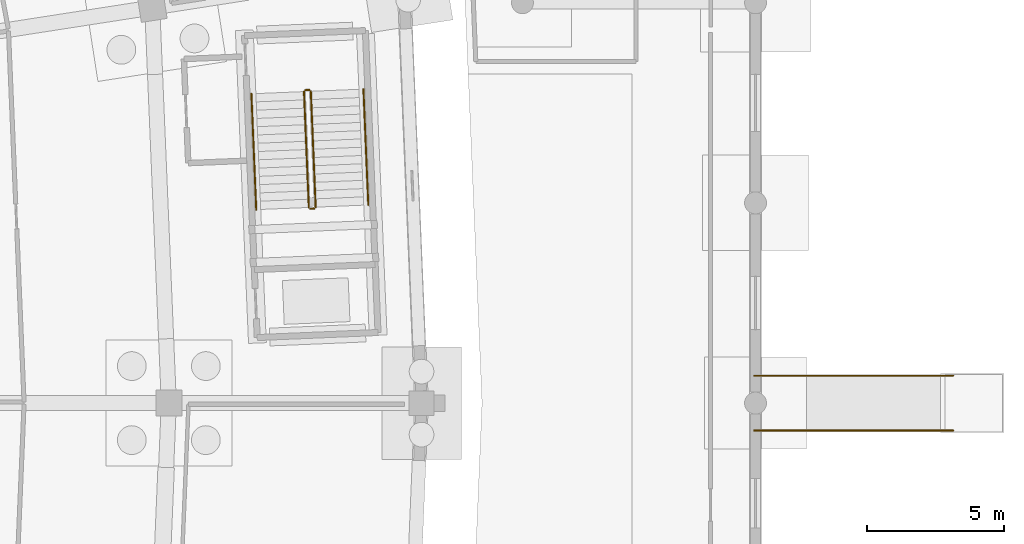
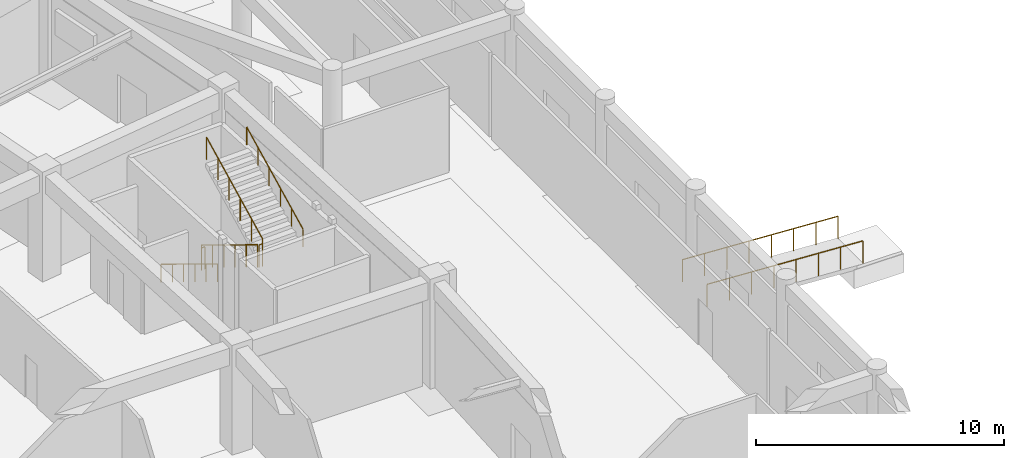
# One storey, part 79 of 88: 8 railings.
"""IFC4 building model written with IfcOpenShell, lengths in metres."""

from ifc_helpers import new_model, si_unit, direction, frame, origin, origin_2d, place, context, subcontext, project, spatial, circle, extrude, material, type_object, element, save


model = new_model("IFC4")

# Units and contexts
model_context = context("Model", 3, precision=1e-05, world=origin(), true_north=direction((0.0, 1.0)))
body_context = subcontext(model_context, "Body", "Model", "MODEL_VIEW")
ifc_project = project(units=[si_unit("LENGTHUNIT", "METRE"), si_unit("AREAUNIT", "SQUARE_METRE"), si_unit("VOLUMEUNIT", "CUBIC_METRE"), si_unit("PLANEANGLEUNIT", "RADIAN"), si_unit("MASSUNIT", "GRAM", prefix="KILO")], contexts=[model_context])

# Site, building, storey
site_placement = place(None, origin())
site = spatial("IfcSite", under=ifc_project, at=site_placement, CompositionType="ELEMENT")
building_placement = place(site_placement, origin())
building = spatial("IfcBuilding", under=site, at=building_placement, Name="Mphavela Belvedere Stadium", CompositionType="ELEMENT")
storey_placement = place(building_placement, origin())
storey = spatial("IfcBuildingStorey", under=building, at=storey_placement, Name="L00", CompositionType="ELEMENT", Elevation=0.0)

# Railings
ifc_material_1 = material(Name="Painted galvanised steel stair guardrail", Category="steel")
railing_type_1 = type_object("IfcRailingType", Name="RAL-GUARD-1120", PredefinedType="GUARDRAIL", material=ifc_material_1)
railing_1_placement = place(storey_placement, frame((213.532958984375, 98.359375, 0.179931640625)))
element("IfcRailing", 1, at=railing_1_placement, inside=storey, type_object=railing_type_1, Name="L00 ST-C01 stair guard 1", PredefinedType="GUARDRAIL", context=body_context, shape_type="SweptSolid", body=[
    extrude(circle(Radius=0.02392578125, at=origin_2d()), frame((0.0, 0.0, 1.09619140625), z_axis=(0.035962172711, -0.858231051363, 0.512002133405), x_axis=(0.999123237533, 0.041865931523, 0.0)), (0.0, 0.0, 1.0), 4.921875),
    extrude(circle(Radius=0.02099609375, at=origin_2d()), origin(), (0.0, 0.0, 1.0), 1.072021484375),
    extrude(circle(Radius=0.02099609375, at=origin_2d()), frame((0.035400390625, -0.8447265625, 0.50390625)), (0.0, 0.0, 1.0), 1.072021484375),
    extrude(circle(Radius=0.02099609375, at=origin_2d()), frame((0.07080078125, -1.689697265625, 1.008056640625)), (0.0, 0.0, 1.0), 1.072021484375),
    extrude(circle(Radius=0.02099609375, at=origin_2d()), frame((0.106201171875, -2.534423828125, 1.511962890625)), (0.0, 0.0, 1.0), 1.072021484375),
    extrude(circle(Radius=0.02099609375, at=origin_2d()), frame((0.1416015625, -3.37939453125, 2.01611328125)), (0.0, 0.0, 1.0), 1.072021484375),
    extrude(circle(Radius=0.02099609375, at=origin_2d()), frame((0.177001953125, -4.22412109375, 2.52001953125)), (0.0, 0.0, 1.0), 1.072021484375),
])
railing_2_placement = place(storey_placement, frame((213.761962890625, 94.08740234375, 2.699951171875)))
element("IfcRailing", 2, at=railing_2_placement, inside=storey, type_object=railing_type_1, Name="L00 ST-C01 stair guard 2", PredefinedType="GUARDRAIL", context=body_context, shape_type="SweptSolid", body=[
    extrude(circle(Radius=0.02392578125, at=origin_2d()), frame((0.0, 0.0, 1.09619140625), z_axis=(0.999172107982, 0.040682903419, 0.0), x_axis=(-0.040682903419, 0.999172107982, 0.0)), (0.0, 0.0, 1.0), 0.150146484375),
    extrude(circle(Radius=0.02099609375, at=origin_2d()), origin(), (0.0, 0.0, 1.0), 1.072021484375),
    extrude(circle(Radius=0.02099609375, at=origin_2d()), frame((0.14990234375, 0.006103515625, 0.0)), (0.0, 0.0, 1.0), 1.072021484375),
])
railing_3_placement = place(storey_placement, frame((213.959716796875, 94.145751953125, 2.8798828125)))
element("IfcRailing", 3, at=railing_3_placement, inside=storey, type_object=railing_type_1, Name="L00 ST-C01 stair guard 3", PredefinedType="GUARDRAIL", context=body_context, shape_type="SweptSolid", body=[
    extrude(circle(Radius=0.02392578125, at=origin_2d()), frame((0.0, 0.0, 1.09619140625), z_axis=(-0.035962172711, 0.858231051363, 0.512002133405), x_axis=(-0.999123237533, -0.041865931523, 0.0)), (0.0, 0.0, 1.0), 4.921875),
    extrude(circle(Radius=0.02099609375, at=origin_2d()), origin(), (0.0, 0.0, 1.0), 1.072021484375),
    extrude(circle(Radius=0.02099609375, at=origin_2d()), frame((-0.035400390625, 0.8447265625, 0.50390625)), (0.0, 0.0, 1.0), 1.072021484375),
    extrude(circle(Radius=0.02099609375, at=origin_2d()), frame((-0.07080078125, 1.689697265625, 1.008056640625)), (0.0, 0.0, 1.0), 1.072021484375),
    extrude(circle(Radius=0.02099609375, at=origin_2d()), frame((-0.106201171875, 2.534423828125, 1.511962890625)), (0.0, 0.0, 1.0), 1.072021484375),
    extrude(circle(Radius=0.02099609375, at=origin_2d()), frame((-0.1416015625, 3.37939453125, 2.01611328125)), (0.0, 0.0, 1.0), 1.072021484375),
    extrude(circle(Radius=0.02099609375, at=origin_2d()), frame((-0.177001953125, 4.22412109375, 2.52001953125)), (0.0, 0.0, 1.0), 1.072021484375),
])
railing_4_placement = place(storey_placement, frame((213.580810546875, 98.41162109375, 0.0)))
element("IfcRailing", 4, at=railing_4_placement, inside=storey, type_object=railing_type_1, Name="L00 ST-C01 stair guard 4", PredefinedType="GUARDRAIL", context=body_context, shape_type="SweptSolid", body=[
    extrude(circle(Radius=0.02392578125, at=origin_2d()), frame((0.0, 0.0, 1.09619140625), z_axis=(0.999172107982, 0.040682903419, 0.0), x_axis=(-0.040682903419, 0.999172107982, 0.0)), (0.0, 0.0, 1.0), 0.150146484375),
    extrude(circle(Radius=0.02099609375, at=origin_2d()), origin(), (0.0, 0.0, 1.0), 1.072021484375),
    extrude(circle(Radius=0.02099609375, at=origin_2d()), frame((0.14990234375, 0.006103515625, 0.0)), (0.0, 0.0, 1.0), 1.072021484375),
])
for number, where, name in (
    (5, (237.199951171875, 88.0, -0.39990234375), "Ramp RP6 guardrail R"),
    (6, (237.199951171875, 86.0, -0.39990234375), "Ramp RP6 guardrail L"),
):
    element("IfcRailing", number, at=place(storey_placement, frame(where)), inside=storey, type_object=railing_type_1, Name=name, PredefinedType="GUARDRAIL", context=body_context, shape_type="SweptSolid", body=[
        extrude(circle(Radius=0.02392578125, at=origin_2d()), frame((0.0, 0.0, 1.09619140625), z_axis=(-0.998482207996, 0.0, 0.055075224161), x_axis=(0.0, -1.0, 0.0)), (0.0, 0.0, 1.0), 7.260986328125),
        extrude(circle(Radius=0.02099609375, at=origin_2d()), origin(), (0.0, 0.0, 1.0), 1.072021484375),
        extrude(circle(Radius=0.02099609375, at=origin_2d()), frame((-1.03564453125, 0.0, 0.05712890625)), (0.0, 0.0, 1.0), 1.072021484375),
        extrude(circle(Radius=0.02099609375, at=origin_2d()), frame((-2.071533203125, 0.0, 0.1142578125)), (0.0, 0.0, 1.0), 1.072021484375),
        extrude(circle(Radius=0.02099609375, at=origin_2d()), frame((-3.107177734375, 0.0, 0.17138671875)), (0.0, 0.0, 1.0), 1.072021484375),
        extrude(circle(Radius=0.02099609375, at=origin_2d()), frame((-4.142822265625, 0.0, 0.228515625)), (0.0, 0.0, 1.0), 1.072021484375),
        extrude(circle(Radius=0.02099609375, at=origin_2d()), frame((-5.178466796875, 0.0, 0.28564453125)), (0.0, 0.0, 1.0), 1.072021484375),
        extrude(circle(Radius=0.02099609375, at=origin_2d()), frame((-6.21435546875, 0.0, 0.3427734375)), (0.0, 0.0, 1.0), 1.072021484375),
        extrude(circle(Radius=0.02099609375, at=origin_2d()), frame((-7.25, 0.0, 0.39990234375)), (0.0, 0.0, 1.0), 1.072021484375),
    ])
ifc_material_2 = material(Name="Brushed stainless steel tubular handrail", Category="steel")
railing_type_2 = type_object("IfcRailingType", Name="RAL-HANDRAIL-900", PredefinedType="HANDRAIL", material=ifc_material_2)
railing_5_placement = place(storey_placement, frame((211.61474609375, 98.279052734375, 0.179931640625)))
element("IfcRailing", 7, at=railing_5_placement, inside=storey, type_object=railing_type_2, Name="L00 ST-C01 stair handrail 1", PredefinedType="HANDRAIL", context=body_context, shape_type="SweptSolid", body=[
    extrude(circle(Radius=0.02392578125, at=origin_2d()), frame((0.0, 0.0, 0.8759765625), z_axis=(0.035960641824, -0.858244117915, 0.51198033781), x_axis=(0.999123338739, 0.041863516187, 0.0)), (0.0, 0.0, 1.0), 4.922119140625),
    extrude(circle(Radius=0.02099609375, at=origin_2d()), origin(), (0.0, 0.0, 1.0), 0.851806640625),
    extrude(circle(Radius=0.02099609375, at=origin_2d()), frame((0.035400390625, -0.844970703125, 0.50390625)), (0.0, 0.0, 1.0), 0.851806640625),
    extrude(circle(Radius=0.02099609375, at=origin_2d()), frame((0.07080078125, -1.689697265625, 1.008056640625)), (0.0, 0.0, 1.0), 0.851806640625),
    extrude(circle(Radius=0.02099609375, at=origin_2d()), frame((0.106201171875, -2.53466796875, 1.511962890625)), (0.0, 0.0, 1.0), 0.851806640625),
    extrude(circle(Radius=0.02099609375, at=origin_2d()), frame((0.1416015625, -3.37939453125, 2.01611328125)), (0.0, 0.0, 1.0), 0.851806640625),
    extrude(circle(Radius=0.02099609375, at=origin_2d()), frame((0.177001953125, -4.224365234375, 2.52001953125)), (0.0, 0.0, 1.0), 0.851806640625),
])
railing_6_placement = place(storey_placement, frame((215.878173828125, 94.22607421875, 2.8798828125)))
element("IfcRailing", 8, at=railing_6_placement, inside=storey, type_object=railing_type_2, Name="L00 ST-C01 stair handrail 2", PredefinedType="HANDRAIL", context=body_context, shape_type="SweptSolid", body=[
    extrude(circle(Radius=0.02392578125, at=origin_2d()), frame((0.0, 0.0, 0.8759765625), z_axis=(-0.035960641824, 0.858244117915, 0.51198033781), x_axis=(-0.999123338739, -0.041863516187, 0.0)), (0.0, 0.0, 1.0), 4.922119140625),
    extrude(circle(Radius=0.02099609375, at=origin_2d()), origin(), (0.0, 0.0, 1.0), 0.851806640625),
    extrude(circle(Radius=0.02099609375, at=origin_2d()), frame((-0.035400390625, 0.844970703125, 0.50390625)), (0.0, 0.0, 1.0), 0.851806640625),
    extrude(circle(Radius=0.02099609375, at=origin_2d()), frame((-0.07080078125, 1.689697265625, 1.008056640625)), (0.0, 0.0, 1.0), 0.851806640625),
    extrude(circle(Radius=0.02099609375, at=origin_2d()), frame((-0.106201171875, 2.53466796875, 1.511962890625)), (0.0, 0.0, 1.0), 0.851806640625),
    extrude(circle(Radius=0.02099609375, at=origin_2d()), frame((-0.1416015625, 3.37939453125, 2.01611328125)), (0.0, 0.0, 1.0), 0.851806640625),
    extrude(circle(Radius=0.02099609375, at=origin_2d()), frame((-0.177001953125, 4.224365234375, 2.52001953125)), (0.0, 0.0, 1.0), 0.851806640625),
])

save(model, "model.ifc")
